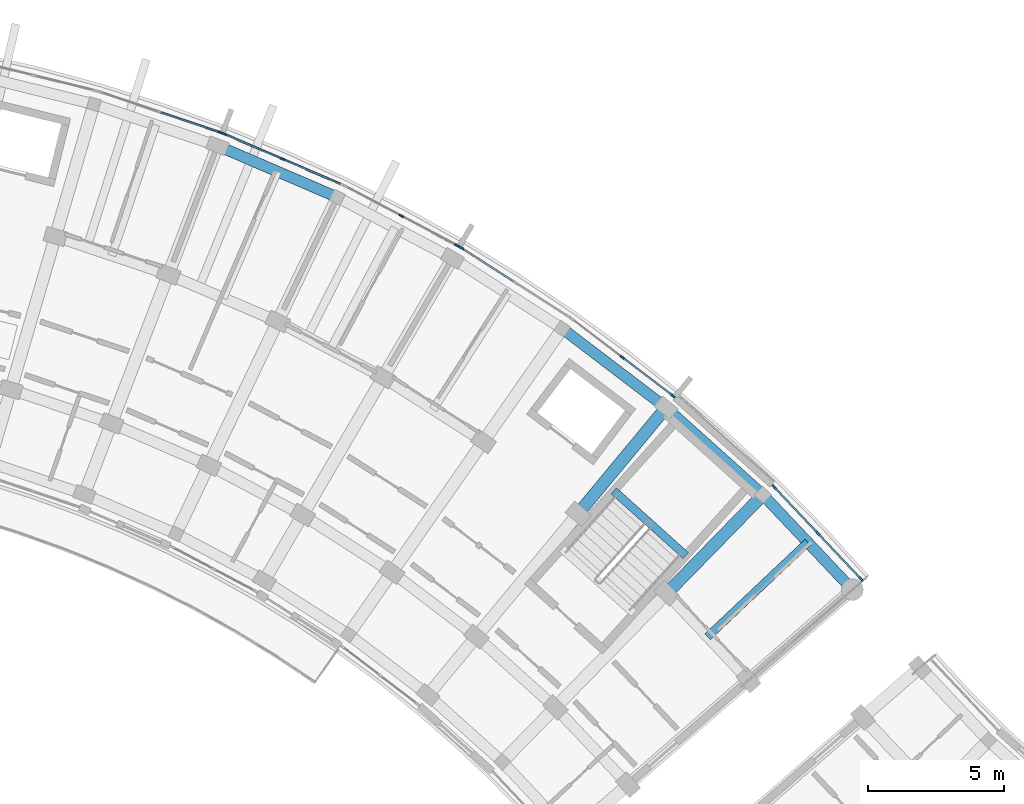
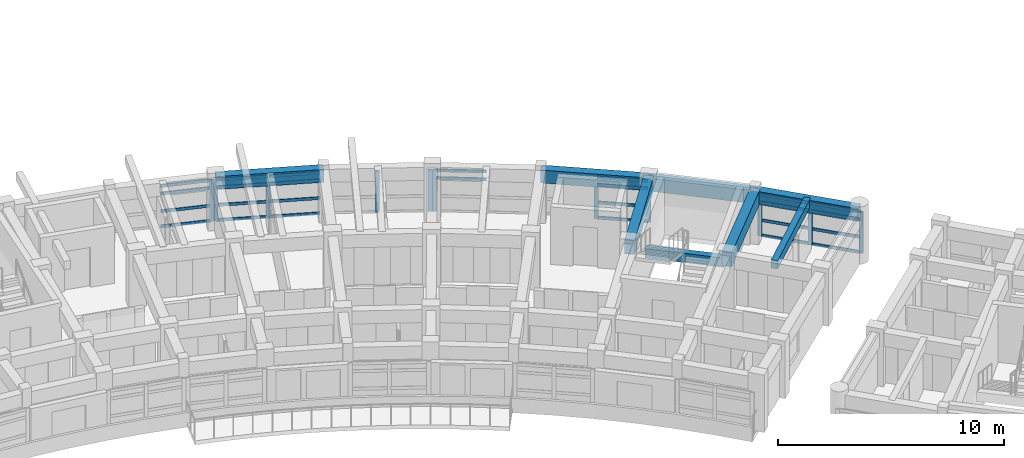
# One storey, part 15 of 56: 37 members, 8 beams, 6 elements without a shape of their own.
"""IFC4 building model written with IfcOpenShell, lengths in metres."""

from ifc_helpers import new_model, si_unit, direction, frame, origin, origin_2d, place, context, subcontext, project, spatial, rectangle, extrude, material, material_profile, profile_set, type_object, element, aggregate, save


model = new_model("IFC4")

# Units and contexts
model_context = context("Model", 3, precision=1e-05, world=origin(), true_north=direction((0.0, 1.0)))
body_context = subcontext(model_context, "Body", "Model", "MODEL_VIEW")
ifc_project = project(units=[si_unit("LENGTHUNIT", "METRE"), si_unit("AREAUNIT", "SQUARE_METRE"), si_unit("VOLUMEUNIT", "CUBIC_METRE"), si_unit("PLANEANGLEUNIT", "RADIAN"), si_unit("MASSUNIT", "GRAM", prefix="KILO")], contexts=[model_context])

# Site, building, storey
site_placement = place(None, origin())
site = spatial("IfcSite", under=ifc_project, at=site_placement, CompositionType="ELEMENT")
building_placement = place(site_placement, origin())
building = spatial("IfcBuilding", under=site, at=building_placement, Name="Zimvara Arc Housing Community", CompositionType="ELEMENT")
storey_placement = place(building_placement, frame((0.0, 0.0, 11.199951171875)))
storey = spatial("IfcBuildingStorey", under=building, at=storey_placement, Name="L03", CompositionType="ELEMENT", Elevation=11.199951171875)

# Beams
ifc_material_1 = material(Name="Concrete C40/50", Category="concrete")
ifc_material_profile_1 = material_profile(ifc_material_1, rectangle(XDim=0.300048828125, YDim=0.449951171875, at=origin_2d()), Name="RC 300x450")
ifc_profile_set_1 = profile_set([ifc_material_profile_1], Name="Concrete C40/50")
beam_type_1 = type_object("IfcBeamType", Name="BM-RC-300x450", PredefinedType="JOIST", material=ifc_profile_set_1)
beam_1_placement = place(storey_placement, frame((84.095703125, 81.3935546875, 2.635009765625), z_axis=(0.727299876429, 0.686319815936, 0.0), x_axis=(-0.686319815936, 0.727299876429, 0.0)))
element("IfcBeam", 1, at=beam_1_placement, inside=storey, type_object=beam_type_1, Name="bm:blkB:L03:joist:b9", PredefinedType="JOIST", context=body_context, shape_type="SweptSolid", body=[
    extrude(rectangle(XDim=0.300048828125, YDim=0.449951171875, at=origin_2d()), origin(), (0.0, 0.0, 1.0), 5.075927734375),
])
ifc_material_2 = material(Name="Concrete C40/50", Category="concrete")
ifc_material_profile_2 = material_profile(ifc_material_2, rectangle(XDim=0.300048828125, YDim=0.5, at=origin_2d()), Name="RC 300x500")
ifc_profile_set_2 = profile_set([ifc_material_profile_2], Name="Concrete C40/50")
beam_type_2 = type_object("IfcBeamType", Name="BM-RC-300x500", PredefinedType="BEAM", material=ifc_profile_set_2)
beam_2_placement = place(storey_placement, frame((83.2900390625, 84.38671875, 1.300048828125), z_axis=(-0.743396155404, 0.668851370732, 0.0), x_axis=(-0.668851370732, -0.743396155404, 0.0)))
element("IfcBeam", 2, at=beam_2_placement, inside=storey, type_object=beam_type_2, Name="bm:stair_trim:ST-B2:L03:mid", PredefinedType="BEAM", context=body_context, shape_type="SweptSolid", body=[
    extrude(rectangle(XDim=0.300048828125, YDim=0.5, at=origin_2d()), origin(), (0.0, 0.0, 1.0), 3.56982421875),
])
ifc_material_3 = material(Name="Concrete C40/50", Category="concrete")
ifc_material_profile_3 = material_profile(ifc_material_3, rectangle(XDim=0.39990234375, YDim=0.699951171875, at=origin_2d()), Name="RC 400x700")
ifc_profile_set_3 = profile_set([ifc_material_profile_3], Name="Concrete C40/50")
beam_type_3 = type_object("IfcBeamType", Name="BM-RC-400x700", PredefinedType="BEAM", material=ifc_profile_set_3)
for number, where, z_axis, x_axis, name in (
    (3, (66.02392578125, 99.49853515625, 2.510009765625), (0.918724276228, -0.394899612901, 0.0), (0.394899612901, 0.918724276228, 0.0), "bm:blkB:L03:chord:r3:b4"),
    (4, (78.738525390625, 92.755126953125, 2.510009765625), (0.795480673672, -0.605978958228, 0.0), (0.605978958228, 0.795480673672, 0.0), "bm:blkB:L03:chord:r3:b7"),
):
    element("IfcBeam", number, at=place(storey_placement, frame(where, z_axis=z_axis, x_axis=x_axis)), inside=storey, type_object=beam_type_3, Name=name, PredefinedType="BEAM", context=body_context, shape_type="SweptSolid", body=[
        extrude(rectangle(XDim=0.39990234375, YDim=0.699951171875, at=origin_2d()), origin(), (0.0, 0.0, 1.0), 4.80810546875),
    ])
beam_3_placement = place(storey_placement, frame((82.563232421875, 89.841552734375, 2.510009765625), z_axis=(0.743395133402, -0.668852506637, 0.0), x_axis=(0.668852506637, 0.743395133402, 0.0)))
element("IfcBeam", 5, at=beam_3_placement, inside=storey, type_object=beam_type_3, Name="bm:blkB:L03:chord:r3:b8", PredefinedType="BEAM", context=body_context, shape_type="SweptSolid", body=[
    extrude(rectangle(XDim=0.39990234375, YDim=0.699951171875, at=origin_2d()), origin(), (0.0, 0.0, 1.0), 4.807861328125),
])
beam_4_placement = place(storey_placement, frame((86.137451171875, 86.625732421875, 2.510009765625), z_axis=(0.6862954451, -0.727322873307, 0.0), x_axis=(0.727322873307, 0.6862954451, 0.0)))
element("IfcBeam", 6, at=beam_4_placement, inside=storey, type_object=beam_type_3, Name="bm:blkB:L03:chord:r3:b9", PredefinedType="BEAM", context=body_context, shape_type="SweptSolid", body=[
    extrude(rectangle(XDim=0.39990234375, YDim=0.699951171875, at=origin_2d()), origin(), (0.0, 0.0, 1.0), 4.80810546875),
])
ifc_material_4 = material(Name="Concrete C40/50", Category="concrete")
ifc_material_profile_4 = material_profile(ifc_material_4, rectangle(XDim=0.449951171875, YDim=0.75, at=origin_2d()), Name="RC 450x750")
ifc_profile_set_4 = profile_set([ifc_material_profile_4], Name="Concrete C40/50")
beam_type_4 = type_object("IfcBeamType", Name="BM-RC-450x750", PredefinedType="BEAM", material=ifc_profile_set_4)
for number, where, z_axis, x_axis, name in (
    (7, (79.322265625, 85.9296875, 2.485107421875), (0.637983669165, 0.77004989311, 0.0), (-0.77004989311, 0.637983669165, 0.0), "bm:blkB:L03:rad:b8:r23"),
    (8, (82.588134765625, 82.9912109375, 2.485107421875), (0.698670885014, 0.71544321538, 0.0), (-0.71544321538, 0.698670885014, 0.0), "bm:blkB:L03:rad:b9:r23"),
):
    element("IfcBeam", number, at=place(storey_placement, frame(where, z_axis=z_axis, x_axis=x_axis)), inside=storey, type_object=beam_type_4, Name=name, PredefinedType="BEAM", context=body_context, shape_type="SweptSolid", body=[
        extrude(rectangle(XDim=0.449951171875, YDim=0.75, at=origin_2d()), origin(), (0.0, 0.0, 1.0), 5.080078125),
    ])

# Curtain wall, members
ifc_material_5 = material(Name="Anodised Aluminium AW-6063", Category="aluminium")
curtain_wall_type_1 = type_object("IfcCurtainWallType", Name="CW-SYS-06", PredefinedType="USERDEFINED", material=ifc_material_5)
curtain_wall_1_placement = place(storey_placement, origin())
curtain_wall_1 = element("IfcCurtainWall", 9, at=curtain_wall_1_placement, inside=storey, type_object=curtain_wall_type_1, Name="cw:blkB:L03:out:b5", ObjectType="CURTAIN WALL", PredefinedType="USERDEFINED")
ifc_material_6 = material(Name="Anodised Aluminium AW-6063", Category="aluminium")
ifc_material_profile_5 = material_profile(ifc_material_6, rectangle(XDim=0.06494140625, YDim=0.179931640625, at=origin_2d()), Name="ALU 65x180")
ifc_profile_set_5 = profile_set([ifc_material_profile_5], Name="Anodised Aluminium AW-6063")
member_type_1 = type_object("IfcMemberType", Name="CWM-65x150", PredefinedType="MULLION", material=ifc_profile_set_5)
member_1_placement = place(storey_placement, frame((72.799072265625, 96.914794921875, 0.0), z_axis=(0.0, 0.0, 1.0), x_axis=(0.468546917761, 0.883438614651, 0.0)))
member_1 = element("IfcMember", 10, at=member_1_placement, type_object=member_type_1, Name="CW06 mullion 2", PredefinedType="MULLION", context=body_context, shape_type="SweptSolid", body=[
    extrude(rectangle(XDim=0.06494140625, YDim=0.179931640625, at=origin_2d()), origin(), (0.0, 0.0, 1.0), 2.25),
])
member_2_placement = place(storey_placement, frame((74.859130859375, 95.822265625, 0.0), z_axis=(0.0, 0.0, 1.0), x_axis=(0.468546917761, 0.883438614651, 0.0)))
member_2 = element("IfcMember", 11, at=member_2_placement, type_object=member_type_1, Name="CW06 mullion 3", PredefinedType="MULLION", context=body_context, shape_type="SweptSolid", body=[
    extrude(rectangle(XDim=0.06494140625, YDim=0.179931640625, at=origin_2d()), origin(), (0.0, 0.0, 1.0), 2.25),
])
aggregate(curtain_wall_1, [member_1, member_2])

# Curtain wall, member
ifc_material_7 = material(Name="Anodised Aluminium AW-6063", Category="aluminium")
curtain_wall_type_2 = type_object("IfcCurtainWallType", Name="CW-SYS-08", PredefinedType="USERDEFINED", material=ifc_material_7)
curtain_wall_2_placement = place(storey_placement, origin())
curtain_wall_2 = element("IfcCurtainWall", 12, at=curtain_wall_2_placement, inside=storey, type_object=curtain_wall_type_2, Name="cw:blkB:L03:out:b6", ObjectType="CURTAIN WALL", PredefinedType="USERDEFINED")
member_3_placement = place(storey_placement, frame((75.018798828125, 95.72900390625, 0.0), z_axis=(0.0, 0.0, 1.0), x_axis=(0.539064617721, 0.842264410931, 0.0)))
member_3 = element("IfcMember", 13, at=member_3_placement, type_object=member_type_1, Name="CW08 mullion 1", PredefinedType="MULLION", context=body_context, shape_type="SweptSolid", body=[
    extrude(rectangle(XDim=0.06494140625, YDim=0.179931640625, at=origin_2d()), origin(), (0.0, 0.0, 1.0), 2.25),
])

ifc_material_8 = material(Name="Anodised Aluminium AW-6063", Category="aluminium")
curtain_wall_type_3 = type_object("IfcCurtainWallType", Name="CW-SYS-03", PredefinedType="USERDEFINED", material=ifc_material_8)
curtain_wall_3_placement = place(storey_placement, origin())
curtain_wall_3 = element("IfcCurtainWall", 14, at=curtain_wall_3_placement, inside=storey, type_object=curtain_wall_type_3, Name="cw:blkB:L03:out:b3", ObjectType="CURTAIN WALL", PredefinedType="USERDEFINED")
ifc_material_9 = material(Name="Anodised Aluminium AW-6063", Category="aluminium")
ifc_material_profile_6 = material_profile(ifc_material_9, rectangle(XDim=0.06494140625, YDim=0.195068359375, at=origin_2d()), Name="ALU 65x195")
ifc_profile_set_6 = profile_set([ifc_material_profile_6], Name="Anodised Aluminium AW-6063")
member_type_2 = type_object("IfcMemberType", Name="CWM-65x180", PredefinedType="MULLION", material=ifc_profile_set_6)
member_4_placement = place(storey_placement, frame((66.11474609375, 99.9951171875, 0.0), z_axis=(0.0, 0.0, 1.0), x_axis=(0.318628583921, 0.947879647164, 0.0)))
member_4 = element("IfcMember", 15, at=member_4_placement, type_object=member_type_2, Name="CW03 mullion 3", PredefinedType="MULLION", context=body_context, shape_type="SweptSolid", body=[
    extrude(rectangle(XDim=0.06494140625, YDim=0.195068359375, at=origin_2d()), origin(), (0.0, 0.0, 1.0), 2.25),
])

# Curtain wall, members
ifc_material_10 = material(Name="Anodised Aluminium AW-6063", Category="aluminium")
curtain_wall_type_4 = type_object("IfcCurtainWallType", Name="CW-SYS-05", PredefinedType="USERDEFINED", material=ifc_material_10)
curtain_wall_4_placement = place(storey_placement, origin())
curtain_wall_4 = element("IfcCurtainWall", 16, at=curtain_wall_4_placement, inside=storey, type_object=curtain_wall_type_4, Name="cw:blkB:L03:out:b4", ObjectType="CURTAIN WALL", PredefinedType="USERDEFINED")
member_5_placement = place(storey_placement, frame((66.287353515625, 99.92919921875, 0.0), z_axis=(0.0, 0.0, 1.0), x_axis=(0.394904211998, 0.918722299363, 0.0)))
member_5 = element("IfcMember", 17, at=member_5_placement, type_object=member_type_2, Name="CW05 mullion 1", PredefinedType="MULLION", context=body_context, shape_type="SweptSolid", body=[
    extrude(rectangle(XDim=0.06494140625, YDim=0.195068359375, at=origin_2d()), origin(), (0.0, 0.0, 1.0), 2.25),
])
member_6_placement = place(storey_placement, frame((68.429931640625, 99.00830078125, 0.0), z_axis=(0.0, 0.0, 1.0), x_axis=(0.394904211998, 0.918722299363, 0.0)))
member_6 = element("IfcMember", 18, at=member_6_placement, type_object=member_type_2, Name="CW05 mullion 2", PredefinedType="MULLION", context=body_context, shape_type="SweptSolid", body=[
    extrude(rectangle(XDim=0.06494140625, YDim=0.195068359375, at=origin_2d()), origin(), (0.0, 0.0, 1.0), 2.25),
])

ifc_material_11 = material(Name="Anodised Aluminium AW-6063", Category="aluminium")
curtain_wall_type_5 = type_object("IfcCurtainWallType", Name="CW-SYS-01", PredefinedType="USERDEFINED", material=ifc_material_11)
curtain_wall_5_placement = place(storey_placement, origin())
curtain_wall_5 = element("IfcCurtainWall", 19, at=curtain_wall_5_placement, inside=storey, type_object=curtain_wall_type_5, Name="cw:blkB:L03:out:b7", ObjectType="CURTAIN WALL", PredefinedType="USERDEFINED")
member_7_placement = place(storey_placement, frame((80.95361328125, 91.69580078125, 0.0), z_axis=(0.0, 0.0, 1.0), x_axis=(0.60598771987, 0.795473999177, 0.0)))
member_7 = element("IfcMember", 20, at=member_7_placement, type_object=member_type_2, Name="CW01 mullion 2", PredefinedType="MULLION", context=body_context, shape_type="SweptSolid", body=[
    extrude(rectangle(XDim=0.06494140625, YDim=0.195068359375, at=origin_2d()), origin(), (0.0, 0.0, 1.0), 2.25),
])
member_8_placement = place(storey_placement, frame((82.80859375, 90.28271484375, 0.0), z_axis=(0.0, 0.0, 1.0), x_axis=(0.60598771987, 0.795473999177, 0.0)))
member_8 = element("IfcMember", 21, at=member_8_placement, type_object=member_type_2, Name="CW01 mullion 3", PredefinedType="MULLION", context=body_context, shape_type="SweptSolid", body=[
    extrude(rectangle(XDim=0.06494140625, YDim=0.195068359375, at=origin_2d()), origin(), (0.0, 0.0, 1.0), 2.25),
])

curtain_wall_6_placement = place(storey_placement, origin())
curtain_wall_6 = element("IfcCurtainWall", 22, at=curtain_wall_6_placement, inside=storey, type_object=curtain_wall_type_3, Name="cw:blkB:L03:out:b9", ObjectType="CURTAIN WALL", PredefinedType="USERDEFINED")
member_9_placement = place(storey_placement, frame((86.55029296875, 86.916015625, 0.0), z_axis=(0.0, 0.0, 1.0), x_axis=(0.727293647725, 0.686326416495, 0.0)))
member_9 = element("IfcMember", 23, at=member_9_placement, type_object=member_type_2, Name="CW03 mullion 1", PredefinedType="MULLION", context=body_context, shape_type="SweptSolid", body=[
    extrude(rectangle(XDim=0.06494140625, YDim=0.195068359375, at=origin_2d()), origin(), (0.0, 0.0, 1.0), 2.25),
])
member_10_placement = place(storey_placement, frame((88.150634765625, 85.219970703125, 0.0), z_axis=(0.0, 0.0, 1.0), x_axis=(0.727293647725, 0.686326416495, 0.0)))
member_10 = element("IfcMember", 24, at=member_10_placement, type_object=member_type_2, Name="CW03 mullion 2", PredefinedType="MULLION", context=body_context, shape_type="SweptSolid", body=[
    extrude(rectangle(XDim=0.06494140625, YDim=0.195068359375, at=origin_2d()), origin(), (0.0, 0.0, 1.0), 2.25),
])
member_11_placement = place(storey_placement, frame((89.751220703125, 83.524169921875, 0.0), z_axis=(0.0, 0.0, 1.0), x_axis=(0.727293647725, 0.686326416495, 0.0)))
member_11 = element("IfcMember", 25, at=member_11_placement, type_object=member_type_2, Name="CW03 mullion 3", PredefinedType="MULLION", context=body_context, shape_type="SweptSolid", body=[
    extrude(rectangle(XDim=0.06494140625, YDim=0.195068359375, at=origin_2d()), origin(), (0.0, 0.0, 1.0), 2.25),
])

# Member
ifc_material_12 = material(Name="Anodised Aluminium AW-6063", Category="aluminium")
ifc_material_profile_7 = material_profile(ifc_material_12, rectangle(XDim=0.06494140625, YDim=0.139892578125, at=origin_2d()), Name="ALU 65x140")
ifc_profile_set_7 = profile_set([ifc_material_profile_7], Name="Anodised Aluminium AW-6063")
member_type_3 = type_object("IfcMemberType", Name="CWT-65x120", PredefinedType="USERDEFINED", material=ifc_profile_set_7)
member_12_placement = place(storey_placement, frame((75.046142578125, 95.71142578125, 1.800048828125), z_axis=(0.842292914806, -0.539020079095, 0.0), x_axis=(0.539020079095, 0.842292914806, 0.0)))
member_12 = element("IfcMember", 26, at=member_12_placement, type_object=member_type_3, Name="CW08 transom 1.3", ObjectType="TRANSOM", PredefinedType="USERDEFINED", context=body_context, shape_type="SweptSolid", body=[
    extrude(rectangle(XDim=0.06494140625, YDim=0.139892578125, at=origin_2d()), origin(), (0.0, 0.0, 1.0), 2.266845703125),
])

member_13_placement = place(storey_placement, frame((75.046142578125, 95.71142578125, 2.217529296875), z_axis=(0.842292914806, -0.539020079095, 0.0), x_axis=(0.539020079095, 0.842292914806, 0.0)))
member_13 = element("IfcMember", 27, at=member_13_placement, type_object=member_type_3, Name="CW08 transom 1.4", ObjectType="TRANSOM", PredefinedType="USERDEFINED", context=body_context, shape_type="SweptSolid", body=[
    extrude(rectangle(XDim=0.06494140625, YDim=0.139892578125, at=origin_2d()), origin(), (0.0, 0.0, 1.0), 2.266845703125),
])

aggregate(curtain_wall_2, [member_3, member_12, member_13])

ifc_material_13 = material(Name="Anodised Aluminium AW-6063", Category="aluminium")
ifc_material_profile_8 = material_profile(ifc_material_13, rectangle(XDim=0.06494140625, YDim=0.155029296875, at=origin_2d()), Name="ALU 65x155")
ifc_profile_set_8 = profile_set([ifc_material_profile_8], Name="Anodised Aluminium AW-6063")
member_type_4 = type_object("IfcMemberType", Name="CWT-65x140", PredefinedType="USERDEFINED", material=ifc_profile_set_8)
member_14_placement = place(storey_placement, frame((63.935302734375, 100.727783203125, 0.032470703125), z_axis=(0.947861605379, -0.318682250916, 0.0), x_axis=(0.318682250916, 0.947861605379, 0.0)))
member_14 = element("IfcMember", 28, at=member_14_placement, type_object=member_type_4, Name="CW03 transom 2.1", ObjectType="TRANSOM", PredefinedType="USERDEFINED", context=body_context, shape_type="SweptSolid", body=[
    extrude(rectangle(XDim=0.06494140625, YDim=0.155029296875, at=origin_2d()), origin(), (0.0, 0.0, 1.0), 2.266845703125),
])

member_15_placement = place(storey_placement, frame((63.935302734375, 100.727783203125, 0.85009765625), z_axis=(0.947861605379, -0.318682250916, 0.0), x_axis=(0.318682250916, 0.947861605379, 0.0)))
member_15 = element("IfcMember", 29, at=member_15_placement, type_object=member_type_4, Name="CW03 transom 2.2", ObjectType="TRANSOM", PredefinedType="USERDEFINED", context=body_context, shape_type="SweptSolid", body=[
    extrude(rectangle(XDim=0.06494140625, YDim=0.155029296875, at=origin_2d()), origin(), (0.0, 0.0, 1.0), 2.266845703125),
])

member_16_placement = place(storey_placement, frame((63.935302734375, 100.727783203125, 1.800048828125), z_axis=(0.947861605379, -0.318682250916, 0.0), x_axis=(0.318682250916, 0.947861605379, 0.0)))
member_16 = element("IfcMember", 30, at=member_16_placement, type_object=member_type_4, Name="CW03 transom 2.3", ObjectType="TRANSOM", PredefinedType="USERDEFINED", context=body_context, shape_type="SweptSolid", body=[
    extrude(rectangle(XDim=0.06494140625, YDim=0.155029296875, at=origin_2d()), origin(), (0.0, 0.0, 1.0), 2.266845703125),
])

member_17_placement = place(storey_placement, frame((63.935302734375, 100.727783203125, 2.217529296875), z_axis=(0.947861605379, -0.318682250916, 0.0), x_axis=(0.318682250916, 0.947861605379, 0.0)))
member_17 = element("IfcMember", 31, at=member_17_placement, type_object=member_type_4, Name="CW03 transom 2.4", ObjectType="TRANSOM", PredefinedType="USERDEFINED", context=body_context, shape_type="SweptSolid", body=[
    extrude(rectangle(XDim=0.06494140625, YDim=0.155029296875, at=origin_2d()), origin(), (0.0, 0.0, 1.0), 2.266845703125),
])

aggregate(curtain_wall_3, [member_4, member_14, member_15, member_16, member_17])

member_18_placement = place(storey_placement, frame((66.3173828125, 99.916259765625, 0.032470703125), z_axis=(0.918704360712, -0.394945942641, 0.0), x_axis=(0.394945942641, 0.918704360712, 0.0)))
member_18 = element("IfcMember", 32, at=member_18_placement, type_object=member_type_4, Name="CW05 transom 1.1", ObjectType="TRANSOM", PredefinedType="USERDEFINED", context=body_context, shape_type="SweptSolid", body=[
    extrude(rectangle(XDim=0.06494140625, YDim=0.155029296875, at=origin_2d()), origin(), (0.0, 0.0, 1.0), 2.266845703125),
])

member_19_placement = place(storey_placement, frame((66.3173828125, 99.916259765625, 0.85009765625), z_axis=(0.918704360712, -0.394945942641, 0.0), x_axis=(0.394945942641, 0.918704360712, 0.0)))
member_19 = element("IfcMember", 33, at=member_19_placement, type_object=member_type_4, Name="CW05 transom 1.2", ObjectType="TRANSOM", PredefinedType="USERDEFINED", context=body_context, shape_type="SweptSolid", body=[
    extrude(rectangle(XDim=0.06494140625, YDim=0.155029296875, at=origin_2d()), origin(), (0.0, 0.0, 1.0), 2.266845703125),
])

member_20_placement = place(storey_placement, frame((66.3173828125, 99.916259765625, 1.800048828125), z_axis=(0.918704360712, -0.394945942641, 0.0), x_axis=(0.394945942641, 0.918704360712, 0.0)))
member_20 = element("IfcMember", 34, at=member_20_placement, type_object=member_type_4, Name="CW05 transom 1.3", ObjectType="TRANSOM", PredefinedType="USERDEFINED", context=body_context, shape_type="SweptSolid", body=[
    extrude(rectangle(XDim=0.06494140625, YDim=0.155029296875, at=origin_2d()), origin(), (0.0, 0.0, 1.0), 2.266845703125),
])

member_21_placement = place(storey_placement, frame((66.3173828125, 99.916259765625, 2.217529296875), z_axis=(0.918704360712, -0.394945942641, 0.0), x_axis=(0.394945942641, 0.918704360712, 0.0)))
member_21 = element("IfcMember", 35, at=member_21_placement, type_object=member_type_4, Name="CW05 transom 1.4", ObjectType="TRANSOM", PredefinedType="USERDEFINED", context=body_context, shape_type="SweptSolid", body=[
    extrude(rectangle(XDim=0.06494140625, YDim=0.155029296875, at=origin_2d()), origin(), (0.0, 0.0, 1.0), 2.266845703125),
])

member_22_placement = place(storey_placement, frame((68.459716796875, 98.995361328125, 0.032470703125), z_axis=(0.918721157939, -0.394906867444, 0.0), x_axis=(0.394906867444, 0.918721157939, 0.0)))
member_22 = element("IfcMember", 36, at=member_22_placement, type_object=member_type_4, Name="CW05 transom 2.1", ObjectType="TRANSOM", PredefinedType="USERDEFINED", context=body_context, shape_type="SweptSolid", body=[
    extrude(rectangle(XDim=0.06494140625, YDim=0.155029296875, at=origin_2d()), origin(), (0.0, 0.0, 1.0), 2.26708984375),
])

member_23_placement = place(storey_placement, frame((68.459716796875, 98.995361328125, 0.85009765625), z_axis=(0.918721157939, -0.394906867444, 0.0), x_axis=(0.394906867444, 0.918721157939, 0.0)))
member_23 = element("IfcMember", 37, at=member_23_placement, type_object=member_type_4, Name="CW05 transom 2.2", ObjectType="TRANSOM", PredefinedType="USERDEFINED", context=body_context, shape_type="SweptSolid", body=[
    extrude(rectangle(XDim=0.06494140625, YDim=0.155029296875, at=origin_2d()), origin(), (0.0, 0.0, 1.0), 2.26708984375),
])

member_24_placement = place(storey_placement, frame((68.459716796875, 98.995361328125, 1.800048828125), z_axis=(0.918721157939, -0.394906867444, 0.0), x_axis=(0.394906867444, 0.918721157939, 0.0)))
member_24 = element("IfcMember", 38, at=member_24_placement, type_object=member_type_4, Name="CW05 transom 2.3", ObjectType="TRANSOM", PredefinedType="USERDEFINED", context=body_context, shape_type="SweptSolid", body=[
    extrude(rectangle(XDim=0.06494140625, YDim=0.155029296875, at=origin_2d()), origin(), (0.0, 0.0, 1.0), 2.26708984375),
])

member_25_placement = place(storey_placement, frame((68.459716796875, 98.995361328125, 2.217529296875), z_axis=(0.918721157939, -0.394906867444, 0.0), x_axis=(0.394906867444, 0.918721157939, 0.0)))
member_25 = element("IfcMember", 39, at=member_25_placement, type_object=member_type_4, Name="CW05 transom 2.4", ObjectType="TRANSOM", PredefinedType="USERDEFINED", context=body_context, shape_type="SweptSolid", body=[
    extrude(rectangle(XDim=0.06494140625, YDim=0.155029296875, at=origin_2d()), origin(), (0.0, 0.0, 1.0), 2.26708984375),
])

aggregate(curtain_wall_4, [member_5, member_6, member_18, member_19, member_20, member_21, member_22, member_23, member_24, member_25])

member_26_placement = place(storey_placement, frame((80.9794921875, 91.676025390625, 0.032470703125), z_axis=(0.795505886513, -0.605945859399, 0.0), x_axis=(0.605945859399, 0.795505886513, 0.0)))
member_26 = element("IfcMember", 40, at=member_26_placement, type_object=member_type_4, Name="CW01 transom 2.1", ObjectType="TRANSOM", PredefinedType="USERDEFINED", context=body_context, shape_type="SweptSolid", body=[
    extrude(rectangle(XDim=0.06494140625, YDim=0.155029296875, at=origin_2d()), origin(), (0.0, 0.0, 1.0), 2.266845703125),
])

member_27_placement = place(storey_placement, frame((80.9794921875, 91.676025390625, 0.85009765625), z_axis=(0.795505886513, -0.605945859399, 0.0), x_axis=(0.605945859399, 0.795505886513, 0.0)))
member_27 = element("IfcMember", 41, at=member_27_placement, type_object=member_type_4, Name="CW01 transom 2.2", ObjectType="TRANSOM", PredefinedType="USERDEFINED", context=body_context, shape_type="SweptSolid", body=[
    extrude(rectangle(XDim=0.06494140625, YDim=0.155029296875, at=origin_2d()), origin(), (0.0, 0.0, 1.0), 2.266845703125),
])

member_28_placement = place(storey_placement, frame((80.9794921875, 91.676025390625, 1.800048828125), z_axis=(0.795505886513, -0.605945859399, 0.0), x_axis=(0.605945859399, 0.795505886513, 0.0)))
member_28 = element("IfcMember", 42, at=member_28_placement, type_object=member_type_4, Name="CW01 transom 2.3", ObjectType="TRANSOM", PredefinedType="USERDEFINED", context=body_context, shape_type="SweptSolid", body=[
    extrude(rectangle(XDim=0.06494140625, YDim=0.155029296875, at=origin_2d()), origin(), (0.0, 0.0, 1.0), 2.266845703125),
])

member_29_placement = place(storey_placement, frame((80.9794921875, 91.676025390625, 2.217529296875), z_axis=(0.795505886513, -0.605945859399, 0.0), x_axis=(0.605945859399, 0.795505886513, 0.0)))
member_29 = element("IfcMember", 43, at=member_29_placement, type_object=member_type_4, Name="CW01 transom 2.4", ObjectType="TRANSOM", PredefinedType="USERDEFINED", context=body_context, shape_type="SweptSolid", body=[
    extrude(rectangle(XDim=0.06494140625, YDim=0.155029296875, at=origin_2d()), origin(), (0.0, 0.0, 1.0), 2.266845703125),
])

aggregate(curtain_wall_5, [member_7, member_8, member_26, member_27, member_28, member_29])

member_30_placement = place(storey_placement, frame((86.572509765625, 86.892333984375, 0.032470703125), z_axis=(0.686348357589, -0.727272941911, 0.0), x_axis=(0.727272941911, 0.686348357589, 0.0)))
member_30 = element("IfcMember", 44, at=member_30_placement, type_object=member_type_4, Name="CW03 transom 1.1", ObjectType="TRANSOM", PredefinedType="USERDEFINED", context=body_context, shape_type="SweptSolid", body=[
    extrude(rectangle(XDim=0.06494140625, YDim=0.155029296875, at=origin_2d()), origin(), (0.0, 0.0, 1.0), 2.266845703125),
])

member_31_placement = place(storey_placement, frame((86.572509765625, 86.892333984375, 0.85009765625), z_axis=(0.686348357589, -0.727272941911, 0.0), x_axis=(0.727272941911, 0.686348357589, 0.0)))
member_31 = element("IfcMember", 45, at=member_31_placement, type_object=member_type_4, Name="CW03 transom 1.2", ObjectType="TRANSOM", PredefinedType="USERDEFINED", context=body_context, shape_type="SweptSolid", body=[
    extrude(rectangle(XDim=0.06494140625, YDim=0.155029296875, at=origin_2d()), origin(), (0.0, 0.0, 1.0), 2.266845703125),
])

member_32_placement = place(storey_placement, frame((86.572509765625, 86.892333984375, 1.800048828125), z_axis=(0.686348357589, -0.727272941911, 0.0), x_axis=(0.727272941911, 0.686348357589, 0.0)))
member_32 = element("IfcMember", 46, at=member_32_placement, type_object=member_type_4, Name="CW03 transom 1.3", ObjectType="TRANSOM", PredefinedType="USERDEFINED", context=body_context, shape_type="SweptSolid", body=[
    extrude(rectangle(XDim=0.06494140625, YDim=0.155029296875, at=origin_2d()), origin(), (0.0, 0.0, 1.0), 2.266845703125),
])

member_33_placement = place(storey_placement, frame((86.572509765625, 86.892333984375, 2.217529296875), z_axis=(0.686348357589, -0.727272941911, 0.0), x_axis=(0.727272941911, 0.686348357589, 0.0)))
member_33 = element("IfcMember", 47, at=member_33_placement, type_object=member_type_4, Name="CW03 transom 1.4", ObjectType="TRANSOM", PredefinedType="USERDEFINED", context=body_context, shape_type="SweptSolid", body=[
    extrude(rectangle(XDim=0.06494140625, YDim=0.155029296875, at=origin_2d()), origin(), (0.0, 0.0, 1.0), 2.266845703125),
])

member_34_placement = place(storey_placement, frame((88.173095703125, 85.196533203125, 0.032470703125), z_axis=(0.68623762882, -0.727377423894, 0.0), x_axis=(0.727377423894, 0.68623762882, 0.0)))
member_34 = element("IfcMember", 48, at=member_34_placement, type_object=member_type_4, Name="CW03 transom 2.1", ObjectType="TRANSOM", PredefinedType="USERDEFINED", context=body_context, shape_type="SweptSolid", body=[
    extrude(rectangle(XDim=0.06494140625, YDim=0.155029296875, at=origin_2d()), origin(), (0.0, 0.0, 1.0), 2.266845703125),
])

member_35_placement = place(storey_placement, frame((88.173095703125, 85.196533203125, 0.85009765625), z_axis=(0.68623762882, -0.727377423894, 0.0), x_axis=(0.727377423894, 0.68623762882, 0.0)))
member_35 = element("IfcMember", 49, at=member_35_placement, type_object=member_type_4, Name="CW03 transom 2.2", ObjectType="TRANSOM", PredefinedType="USERDEFINED", context=body_context, shape_type="SweptSolid", body=[
    extrude(rectangle(XDim=0.06494140625, YDim=0.155029296875, at=origin_2d()), origin(), (0.0, 0.0, 1.0), 2.266845703125),
])

member_36_placement = place(storey_placement, frame((88.173095703125, 85.196533203125, 1.800048828125), z_axis=(0.68623762882, -0.727377423894, 0.0), x_axis=(0.727377423894, 0.68623762882, 0.0)))
member_36 = element("IfcMember", 50, at=member_36_placement, type_object=member_type_4, Name="CW03 transom 2.3", ObjectType="TRANSOM", PredefinedType="USERDEFINED", context=body_context, shape_type="SweptSolid", body=[
    extrude(rectangle(XDim=0.06494140625, YDim=0.155029296875, at=origin_2d()), origin(), (0.0, 0.0, 1.0), 2.266845703125),
])

member_37_placement = place(storey_placement, frame((88.173095703125, 85.196533203125, 2.217529296875), z_axis=(0.68623762882, -0.727377423894, 0.0), x_axis=(0.727377423894, 0.68623762882, 0.0)))
member_37 = element("IfcMember", 51, at=member_37_placement, type_object=member_type_4, Name="CW03 transom 2.4", ObjectType="TRANSOM", PredefinedType="USERDEFINED", context=body_context, shape_type="SweptSolid", body=[
    extrude(rectangle(XDim=0.06494140625, YDim=0.155029296875, at=origin_2d()), origin(), (0.0, 0.0, 1.0), 2.266845703125),
])

aggregate(curtain_wall_6, [member_9, member_10, member_11, member_30, member_31, member_32, member_33, member_34, member_35, member_36, member_37])

save(model, "model.ifc")
